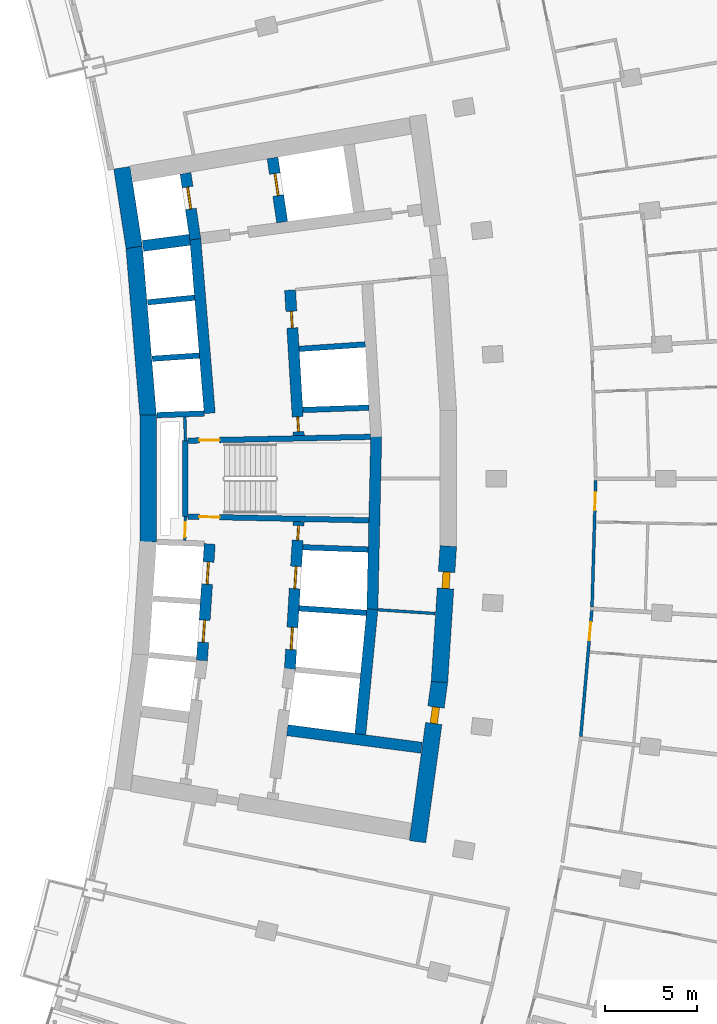
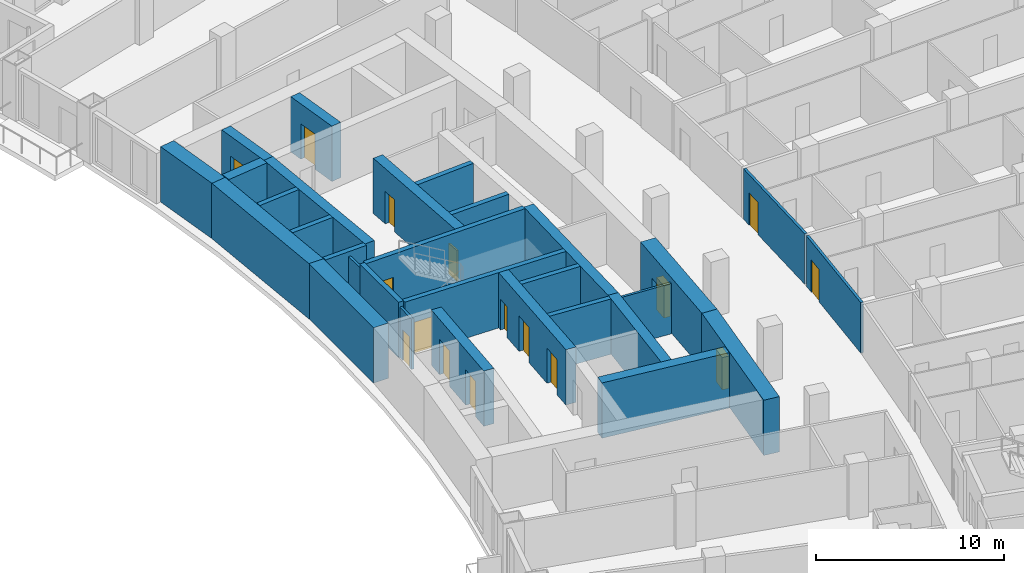
# One storey, part 16 of 25: 30 walls, 16 doors, 16 openings.
"""IFC4 building model written with IfcOpenShell, lengths in metres."""

from ifc_helpers import new_model, si_unit, direction, frame, frame_2d, origin, place, context, subcontext, project, spatial, rectangle, extrude, material, layer, layer_set, type_object, element, fill, save


model = new_model("IFC4")

# Units and contexts
model_context = context("Model", 3, precision=1e-05, world=origin(), true_north=direction((0.0, 1.0)))
body_context = subcontext(model_context, "Body", "Model", "MODEL_VIEW")
ifc_project = project(units=[si_unit("LENGTHUNIT", "METRE"), si_unit("AREAUNIT", "SQUARE_METRE"), si_unit("VOLUMEUNIT", "CUBIC_METRE"), si_unit("PLANEANGLEUNIT", "RADIAN"), si_unit("MASSUNIT", "GRAM", prefix="KILO")], contexts=[model_context])

# Site, building, storey
site_placement = place(None, origin())
site = spatial("IfcSite", under=ifc_project, at=site_placement, CompositionType="ELEMENT")
building_placement = place(site_placement, origin())
building = spatial("IfcBuilding", under=site, at=building_placement, Name="Alderwake Tower", CompositionType="ELEMENT")
storey_placement = place(building_placement, frame((0.0, 0.0, 35.60009765625)))
storey = spatial("IfcBuildingStorey", under=building, at=storey_placement, Name="L07", CompositionType="ELEMENT", Elevation=35.60009765625)

# Wall, opening, door
ifc_material_1 = material(Name="Gypsum shaft wall system, rated")
ifc_layer_1 = layer(ifc_material_1, 0.14990234375)
ifc_layer_set_1 = layer_set([ifc_layer_1], Name="Core room partition 150")
wall_type_1 = type_object("IfcWallType", Name="Core room partition 150", PredefinedType="PARTITIONING", material=ifc_layer_set_1)
wall_1_placement = place(storey_placement, frame((18.918701171875, 58.94384765625, 0.0), z_axis=(0.0, 0.0, 1.0), x_axis=(-0.027348257573, -0.999625966453, 0.0)))
wall_1 = element("IfcWall", 1, at=wall_1_placement, inside=storey, type_object=wall_type_1, Name="CW/L07/PA+24_-37", PredefinedType="PARTITIONING", context=body_context, shape_type="SweptSolid", body=[
    extrude(rectangle(XDim=1.29443359375, YDim=0.14990234375, at=frame_2d((0.647216796875, 0.0))), origin(), (0.0, 0.0, 1.0), 3.27978515625),
])
opening_1_placement = place(wall_1_placement, frame((0.322998046875, 0.0, 0.0)))
opening_1 = element("IfcOpeningElement", 2, at=opening_1_placement, cuts=wall_1, Name="Opening C004", PredefinedType="OPENING", context=body_context, shape_type="SweptSolid", body=[
    extrude(rectangle(XDim=0.800048828125, YDim=2.0, at=frame_2d((0.39990234375, 1.0))), frame((0.0, 0.0849609375, 0.0), z_axis=(0.0, -1.0, 0.0), x_axis=(1.0, 0.0, 0.0)), (0.0, 0.0, 1.0), 0.169921875),
])
ifc_material_2 = material(Name="Painted steel leaf, rated", Category="steel")
door_type_1 = type_object("IfcDoorType", Name="Riser access door 800", OperationType="SINGLE_SWING_LEFT", PredefinedType="DOOR", material=ifc_material_2)
door_1_placement = place(opening_1_placement, origin())
door_1 = element("IfcDoor", 3, at=door_1_placement, inside=storey, type_object=door_type_1, Name="Riser access door", OperationType="SINGLE_SWING_RIGHT", OverallHeight=2.0, OverallWidth=0.800048828125, PredefinedType="DOOR", context=body_context, shape_type="SweptSolid", body=[
    extrude(rectangle(XDim=0.800048828125, YDim=2.0, at=frame_2d((0.39990234375, 1.0))), frame((0.0, 0.02490234375, 0.0), z_axis=(0.0, -1.0, 0.0), x_axis=(1.0, 0.0, 0.0)), (0.0, 0.0, 1.0), 0.050048828125),
])
fill(opening_1, door_1)

# Walls
wall_2_placement = place(storey_placement, frame((18.918701171875, 63.05517578125, 0.0), z_axis=(0.0, 0.0, 1.0), x_axis=(-0.027327648352, 0.999626530078, 0.0)))
element("IfcWall", 4, at=wall_2_placement, inside=storey, type_object=wall_type_1, Name="CW/L07/PA+24_+22", PredefinedType="PARTITIONING", context=body_context, shape_type="SweptSolid", body=[
    extrude(rectangle(XDim=1.29541015625, YDim=0.14990234375, at=frame_2d((0.647705078125, 0.0))), origin(), (0.0, 0.0, 1.0), 3.27978515625),
])
wall_3_placement = place(storey_placement, frame((29.368408203125, 53.8779296875, 0.0), z_axis=(0.0, 0.0, 1.0), x_axis=(0.997885422127, -0.064997571548, 0.0)))
element("IfcWall", 5, at=wall_3_placement, inside=storey, type_object=wall_type_1, Name="CW/L07/PR-68_+128", PredefinedType="PARTITIONING", context=body_context, shape_type="SweptSolid", body=[
    extrude(rectangle(XDim=3.110107421875, YDim=0.14990234375, at=frame_2d((1.55517578125, 0.0))), origin(), (0.0, 0.0, 1.0), 3.27978515625),
])
ifc_material_3 = material(Name="Concrete C70/85", Category="concrete")
ifc_layer_2 = layer(ifc_material_3, 0.89990234375)
ifc_layer_set_2 = layer_set([ifc_layer_2], Name="Core wall outer 900 C70-85")
wall_type_2 = type_object("IfcWallType", Name="Core wall outer 900 C70-85", PredefinedType="SHEAR", material=ifc_layer_set_2)
wall_4_placement = place(storey_placement, frame((16.889404296875, 57.5546875, 0.0), z_axis=(0.0, 0.0, 1.0), x_axis=(0.0, 1.0, 0.0)))
element("IfcWall", 6, at=wall_4_placement, inside=storey, type_object=wall_type_2, Name="Core wall CW.043", PredefinedType="SHEAR", context=body_context, shape_type="SweptSolid", body=[
    extrude(rectangle(XDim=6.89404296875, YDim=0.89990234375, at=frame_2d((3.447021484375, 0.0))), origin(), (0.0, 0.0, 1.0), 3.599853515625),
])
wall_5_placement = place(storey_placement, frame((16.890869140625, 64.41064453125, 0.0), z_axis=(0.0, 0.0, 1.0), x_axis=(-0.082624275373, 0.996580768989, 0.0)))
element("IfcWall", 7, at=wall_5_placement, inside=storey, type_object=wall_type_2, Name="Core wall CW.040", PredefinedType="SHEAR", context=body_context, shape_type="SweptSolid", body=[
    extrude(rectangle(XDim=9.210205078125, YDim=0.89990234375, at=frame_2d((4.60498046875, 0.0))), origin(), (0.0, 0.0, 1.0), 3.599853515625),
])
wall_6_placement = place(storey_placement, frame((16.1337890625, 73.557373046875, 0.0), z_axis=(0.0, 0.0, 1.0), x_axis=(-0.151956504286, 0.988387181627, 0.0)))
element("IfcWall", 8, at=wall_6_placement, inside=storey, type_object=wall_type_2, Name="Core wall CW.039", PredefinedType="SHEAR", context=body_context, shape_type="SweptSolid", body=[
    extrude(rectangle(XDim=4.373291015625, YDim=0.89990234375, at=frame_2d((2.1865234375, 0.0))), origin(), (0.0, 0.0, 1.0), 3.599853515625),
])

# Wall, opening, door
wall_7_placement = place(storey_placement, frame((32.7138671875, 49.9873046875, 0.0), z_axis=(0.0, 0.0, 1.0), x_axis=(-0.135844728876, -0.990730139663, 0.0)))
wall_7 = element("IfcWall", 9, at=wall_7_placement, inside=storey, type_object=wall_type_2, Name="Core wall CW.012", PredefinedType="SHEAR", context=body_context, shape_type="SweptSolid", body=[
    extrude(rectangle(XDim=8.78662109375, YDim=0.89990234375, at=frame_2d((4.393310546875, 0.0))), origin(), (0.0, 0.0, 1.0), 3.599853515625),
])
opening_2_placement = place(wall_7_placement, frame((1.40673828125, 0.0, 0.0)))
opening_2 = element("IfcOpeningElement", 10, at=opening_2_placement, cuts=wall_7, Name="Opening C049", PredefinedType="OPENING", context=body_context, shape_type="SweptSolid", body=[
    extrude(rectangle(XDim=0.89990234375, YDim=2.10009765625, at=frame_2d((0.449951171875, 1.050048828125))), frame((0.0, 0.4599609375, 0.0), z_axis=(0.0, -1.0, 0.0), x_axis=(1.0, 0.0, 0.0)), (0.0, 0.0, 1.0), 0.919921875),
])
ifc_material_4 = material(Name="Painted steel leaf", Category="steel")
door_type_2 = type_object("IfcDoorType", Name="Core room door 900", OperationType="SINGLE_SWING_LEFT", PredefinedType="DOOR", material=ifc_material_4)
door_2_placement = place(opening_2_placement, origin())
door_2 = element("IfcDoor", 11, at=door_2_placement, inside=storey, type_object=door_type_2, Name="Room door", OperationType="SINGLE_SWING_LEFT", OverallHeight=2.10009765625, OverallWidth=0.89990234375, PredefinedType="DOOR", context=body_context, shape_type="SweptSolid", body=[
    extrude(rectangle(XDim=0.89990234375, YDim=2.10009765625, at=frame_2d((0.449951171875, 1.050048828125))), frame((0.0, 0.199951171875, 0.0), z_axis=(0.0, -1.0, 0.0), x_axis=(1.0, 0.0, 0.0)), (0.0, 0.0, 1.0), 0.39990234375),
])
fill(opening_2, door_2)

wall_8_placement = place(storey_placement, frame((33.191162109375, 57.33349609375, 0.0), z_axis=(0.0, 0.0, 1.0), x_axis=(-0.064976219143, -0.997886812693, 0.0)))
wall_8 = element("IfcWall", 12, at=wall_8_placement, inside=storey, type_object=wall_type_2, Name="Core wall CW.011", PredefinedType="SHEAR", context=body_context, shape_type="SweptSolid", body=[
    extrude(rectangle(XDim=7.39453125, YDim=0.89990234375, at=frame_2d((3.697265625, 0.0))), origin(), (0.0, 0.0, 1.0), 3.599853515625),
])
opening_3_placement = place(wall_8_placement, frame((1.405517578125, 0.0, 0.0)))
opening_3 = element("IfcOpeningElement", 13, at=opening_3_placement, cuts=wall_8, Name="Opening C028", PredefinedType="OPENING", context=body_context, shape_type="SweptSolid", body=[
    extrude(rectangle(XDim=0.89990234375, YDim=2.10009765625, at=frame_2d((0.449951171875, 1.050048828125))), frame((0.0, 0.4599609375, 0.0), z_axis=(0.0, -1.0, 0.0), x_axis=(1.0, 0.0, 0.0)), (0.0, 0.0, 1.0), 0.919921875),
])
door_3_placement = place(opening_3_placement, origin())
door_3 = element("IfcDoor", 14, at=door_3_placement, inside=storey, type_object=door_type_2, Name="Room door", OperationType="SINGLE_SWING_LEFT", OverallHeight=2.10009765625, OverallWidth=0.89990234375, PredefinedType="DOOR", context=body_context, shape_type="SweptSolid", body=[
    extrude(rectangle(XDim=0.89990234375, YDim=2.10009765625, at=frame_2d((0.449951171875, 1.050048828125))), frame((0.0, 0.199951171875, 0.0), z_axis=(0.0, -1.0, 0.0), x_axis=(1.0, 0.0, 0.0)), (0.0, 0.0, 1.0), 0.39990234375),
])
fill(opening_3, door_3)

# Walls
ifc_material_5 = material(Name="Concrete C70/85", Category="concrete")
ifc_layer_3 = layer(ifc_material_5, 0.300048828125)
ifc_layer_set_3 = layer_set([ifc_layer_3], Name="Core wall shaft 300 C70-85")
wall_type_3 = type_object("IfcWallType", Name="Core wall shaft 300 C70-85", PredefinedType="SHEAR", material=ifc_layer_set_3)
wall_9_placement = place(storey_placement, frame((25.090087890625, 53.954833984375, 0.0), z_axis=(0.0, 0.0, 1.0), x_axis=(0.997759755038, -0.066898962827, 0.0)))
element("IfcWall", 15, at=wall_9_placement, inside=storey, type_object=wall_type_3, Name="Core wall CW.080", PredefinedType="SHEAR", context=body_context, shape_type="SweptSolid", body=[
    extrude(rectangle(XDim=3.667724609375, YDim=0.300048828125, at=frame_2d((1.833984375, 0.0))), origin(), (0.0, 0.0, 1.0), 3.599853515625),
])
wall_10_placement = place(storey_placement, frame((25.29052734375, 57.27294921875, 0.0), z_axis=(0.0, 0.0, 1.0), x_axis=(0.999373490158, -0.035392473348, 0.0)))
element("IfcWall", 16, at=wall_10_placement, inside=storey, type_object=wall_type_3, Name="Core wall CW.077", PredefinedType="SHEAR", context=body_context, shape_type="SweptSolid", body=[
    extrude(rectangle(XDim=3.552490234375, YDim=0.300048828125, at=frame_2d((1.7763671875, 0.0))), origin(), (0.0, 0.0, 1.0), 3.599853515625),
])
wall_11_placement = place(storey_placement, frame((17.369384765625, 64.446533203125, 0.0), z_axis=(0.0, 0.0, 1.0), x_axis=(0.999371660382, 0.035444102817, 0.0)))
element("IfcWall", 17, at=wall_11_placement, inside=storey, type_object=wall_type_3, Name="Core wall CW.059", PredefinedType="SHEAR", context=body_context, shape_type="SweptSolid", body=[
    extrude(rectangle(XDim=2.5693359375, YDim=0.300048828125, at=frame_2d((1.28466796875, 0.0))), origin(), (0.0, 0.0, 1.0), 3.599853515625),
])
wall_12_placement = place(storey_placement, frame((25.291259765625, 64.72705078125, 0.0), z_axis=(0.0, 0.0, 1.0), x_axis=(0.999373454301, 0.035393485806, 0.0)))
element("IfcWall", 18, at=wall_12_placement, inside=storey, type_object=wall_type_3, Name="Core wall CW.060", PredefinedType="SHEAR", context=body_context, shape_type="SweptSolid", body=[
    extrude(rectangle(XDim=3.59375, YDim=0.300048828125, at=frame_2d((1.796875, 0.0))), origin(), (0.0, 0.0, 1.0), 3.599853515625),
])
wall_13_placement = place(storey_placement, frame((17.115478515625, 67.510498046875, 0.0), z_axis=(0.0, 0.0, 1.0), x_axis=(0.99775517309, 0.06696726493, 0.0)))
element("IfcWall", 19, at=wall_13_placement, inside=storey, type_object=wall_type_3, Name="Core wall CW.062", PredefinedType="SHEAR", context=body_context, shape_type="SweptSolid", body=[
    extrude(rectangle(XDim=2.566650390625, YDim=0.300048828125, at=frame_2d((1.283203125, 0.0))), origin(), (0.0, 0.0, 1.0), 3.599853515625),
])
wall_14_placement = place(storey_placement, frame((25.09228515625, 68.04541015625, 0.0), z_axis=(0.0, 0.0, 1.0), x_axis=(0.997761968855, 0.066865936816, 0.0)))
element("IfcWall", 20, at=wall_14_placement, inside=storey, type_object=wall_type_3, Name="Core wall CW.063", PredefinedType="SHEAR", context=body_context, shape_type="SweptSolid", body=[
    extrude(rectangle(XDim=3.596435546875, YDim=0.300048828125, at=frame_2d((1.79833984375, 0.0))), origin(), (0.0, 0.0, 1.0), 3.599853515625),
])
wall_15_placement = place(storey_placement, frame((16.86181640625, 70.571533203125, 0.0), z_axis=(0.0, 0.0, 1.0), x_axis=(0.995151424955, 0.098354671516, 0.0)))
element("IfcWall", 21, at=wall_15_placement, inside=storey, type_object=wall_type_3, Name="Core wall CW.050", PredefinedType="SHEAR", context=body_context, shape_type="SweptSolid", body=[
    extrude(rectangle(XDim=2.566650390625, YDim=0.300048828125, at=frame_2d((1.283203125, 0.0))), origin(), (0.0, 0.0, 1.0), 3.599853515625),
])

# Wall, openings, doors
ifc_material_6 = material(Name="Concrete C70/85", Category="concrete")
ifc_layer_4 = layer(ifc_material_6, 0.60009765625)
ifc_layer_set_4 = layer_set([ifc_layer_4], Name="Core wall spine 600 C70-85")
wall_type_4 = type_object("IfcWallType", Name="Core wall spine 600 C70-85", PredefinedType="SHEAR", material=ifc_layer_set_4)
wall_16_placement = place(storey_placement, frame((19.813232421875, 51.12646484375, 0.0), z_axis=(0.0, 0.0, 1.0), x_axis=(0.066892179723, 0.997760209816, 0.0)))
wall_16 = element("IfcWall", 22, at=wall_16_placement, inside=storey, type_object=wall_type_4, Name="Core wall CW.032", PredefinedType="SHEAR", context=body_context, shape_type="SweptSolid", body=[
    extrude(rectangle(XDim=6.339599609375, YDim=0.60009765625, at=frame_2d((3.169921875, 0.0))), origin(), (0.0, 0.0, 1.0), 3.599853515625),
])
opening_4_placement = place(wall_16_placement, frame((0.992431640625, 0.0, 0.0)))
opening_4 = element("IfcOpeningElement", 23, at=opening_4_placement, cuts=wall_16, Name="Opening LD-LP2", PredefinedType="OPENING", context=body_context, shape_type="SweptSolid", body=[
    extrude(rectangle(XDim=1.199951171875, YDim=2.300048828125, at=frame_2d((0.60009765625, 1.14990234375))), frame((0.0, 0.31005859375, 0.0), z_axis=(0.0, -1.0, 0.0), x_axis=(1.0, 0.0, 0.0)), (0.0, 0.0, 1.0), 0.6201171875),
])
opening_5_placement = place(wall_16_placement, frame((4.157470703125, 0.0, 0.0)))
opening_5 = element("IfcOpeningElement", 24, at=opening_5_placement, cuts=wall_16, Name="Opening LD-LP3", PredefinedType="OPENING", context=body_context, shape_type="SweptSolid", body=[
    extrude(rectangle(XDim=1.199951171875, YDim=2.300048828125, at=frame_2d((0.60009765625, 1.14990234375))), frame((0.0, 0.31005859375, 0.0), z_axis=(0.0, -1.0, 0.0), x_axis=(1.0, 0.0, 0.0)), (0.0, 0.0, 1.0), 0.6201171875),
])
ifc_material_7 = material(Name="Stainless steel sliding leaf", Category="steel")
door_type_3 = type_object("IfcDoorType", Name="Lift landing door 1200", OperationType="SLIDING_TO_LEFT", PredefinedType="DOOR", material=ifc_material_7)
door_4_placement = place(opening_4_placement, origin())
door_4 = element("IfcDoor", 25, at=door_4_placement, inside=storey, type_object=door_type_3, Name="Lift landing door LP2", OperationType="SLIDING_TO_LEFT", OverallHeight=2.300048828125, OverallWidth=1.199951171875, PredefinedType="DOOR", context=body_context, shape_type="SweptSolid", body=[
    extrude(rectangle(XDim=1.199951171875, YDim=2.300048828125, at=frame_2d((0.60009765625, 1.14990234375))), frame((0.0, 0.050048828125, 0.0), z_axis=(0.0, -1.0, 0.0), x_axis=(1.0, 0.0, 0.0)), (0.0, 0.0, 1.0), 0.10009765625),
])
fill(opening_4, door_4)
door_5_placement = place(opening_5_placement, origin())
door_5 = element("IfcDoor", 26, at=door_5_placement, inside=storey, type_object=door_type_3, Name="Lift landing door LP3", OperationType="SLIDING_TO_LEFT", OverallHeight=2.300048828125, OverallWidth=1.199951171875, PredefinedType="DOOR", context=body_context, shape_type="SweptSolid", body=[
    extrude(rectangle(XDim=1.199951171875, YDim=2.300048828125, at=frame_2d((0.60009765625, 1.14990234375))), frame((0.0, 0.050048828125, 0.0), z_axis=(0.0, -1.0, 0.0), x_axis=(1.0, 0.0, 0.0)), (0.0, 0.0, 1.0), 0.10009765625),
])
fill(opening_5, door_5)

# Wall
wall_17_placement = place(storey_placement, frame((20.2373046875, 64.548095703125, 0.0), z_axis=(0.0, 0.0, 1.0), x_axis=(-0.082626598613, 0.996580576372, 0.0)))
element("IfcWall", 27, at=wall_17_placement, inside=storey, type_object=wall_type_4, Name="Core wall CW.031", PredefinedType="SHEAR", context=body_context, shape_type="SweptSolid", body=[
    extrude(rectangle(XDim=9.50244140625, YDim=0.60009765625, at=frame_2d((4.751220703125, 0.0))), origin(), (0.0, 0.0, 1.0), 3.599853515625),
])

# Wall, opening, door
wall_18_placement = place(storey_placement, frame((19.45458984375, 73.99755859375, 0.0), z_axis=(0.0, 0.0, 1.0), x_axis=(-0.147502312715, 0.989061710786, 0.0)))
wall_18 = element("IfcWall", 28, at=wall_18_placement, inside=storey, type_object=wall_type_4, Name="Core wall CW.030", PredefinedType="SHEAR", context=body_context, shape_type="SweptSolid", body=[
    extrude(rectangle(XDim=3.6181640625, YDim=0.60009765625, at=frame_2d((1.80908203125, 0.0))), origin(), (0.0, 0.0, 1.0), 3.599853515625),
])
opening_6_placement = place(wall_18_placement, frame((1.664306640625, 0.0, 0.0)))
opening_6 = element("IfcOpeningElement", 29, at=opening_6_placement, cuts=wall_18, Name="Opening LD-FF1", PredefinedType="OPENING", context=body_context, shape_type="SweptSolid", body=[
    extrude(rectangle(XDim=1.199951171875, YDim=2.300048828125, at=frame_2d((0.60009765625, 1.14990234375))), frame((0.0, 0.31005859375, 0.0), z_axis=(0.0, -1.0, 0.0), x_axis=(1.0, 0.0, 0.0)), (0.0, 0.0, 1.0), 0.6201171875),
])
door_6_placement = place(opening_6_placement, origin())
door_6 = element("IfcDoor", 30, at=door_6_placement, inside=storey, type_object=door_type_3, Name="Lift landing door FF1", OperationType="SLIDING_TO_LEFT", OverallHeight=2.300048828125, OverallWidth=1.199951171875, PredefinedType="DOOR", context=body_context, shape_type="SweptSolid", body=[
    extrude(rectangle(XDim=1.199951171875, YDim=2.300048828125, at=frame_2d((0.60009765625, 1.14990234375))), frame((0.0, 0.050048828125, 0.0), z_axis=(0.0, -1.0, 0.0), x_axis=(1.0, 0.0, 0.0)), (0.0, 0.0, 1.0), 0.10009765625),
])
fill(opening_6, door_6)

# Wall, openings, doors
wall_19_placement = place(storey_placement, frame((24.58984375, 50.6533203125, 0.0), z_axis=(0.0, 0.0, 1.0), x_axis=(0.060323309079, 0.998178890972, 0.0)))
wall_19 = element("IfcWall", 31, at=wall_19_placement, inside=storey, type_object=wall_type_4, Name="Core wall CW.046", PredefinedType="SHEAR", context=body_context, shape_type="SweptSolid", body=[
    extrude(rectangle(XDim=8.025634765625, YDim=0.60009765625, at=frame_2d((4.0126953125, 0.0))), origin(), (0.0, 0.0, 1.0), 3.599853515625),
])
opening_7_placement = place(wall_19_placement, frame((1.06884765625, 0.0, 0.0)))
opening_7 = element("IfcOpeningElement", 32, at=opening_7_placement, cuts=wall_19, Name="Opening LD-LP5", PredefinedType="OPENING", context=body_context, shape_type="SweptSolid", body=[
    extrude(rectangle(XDim=1.199951171875, YDim=2.300048828125, at=frame_2d((0.60009765625, 1.14990234375))), frame((0.0, 0.31005859375, 0.0), z_axis=(0.0, -1.0, 0.0), x_axis=(1.0, 0.0, 0.0)), (0.0, 0.0, 1.0), 0.6201171875),
])
opening_8_placement = place(wall_19_placement, frame((4.38525390625, 0.0, 0.0)))
opening_8 = element("IfcOpeningElement", 33, at=opening_8_placement, cuts=wall_19, Name="Opening LD-LP6", PredefinedType="OPENING", context=body_context, shape_type="SweptSolid", body=[
    extrude(rectangle(XDim=1.199951171875, YDim=2.300048828125, at=frame_2d((0.60009765625, 1.14990234375))), frame((0.0, 0.31005859375, 0.0), z_axis=(0.0, -1.0, 0.0), x_axis=(1.0, 0.0, 0.0)), (0.0, 0.0, 1.0), 0.6201171875),
])
opening_9_placement = place(wall_19_placement, frame((7.009521484375, 0.0, 0.0)))
opening_9 = element("IfcOpeningElement", 34, at=opening_9_placement, cuts=wall_19, Name="Opening C006", PredefinedType="OPENING", context=body_context, shape_type="SweptSolid", body=[
    extrude(rectangle(XDim=0.800048828125, YDim=2.0, at=frame_2d((0.39990234375, 1.0))), frame((0.0, 0.31005859375, 0.0), z_axis=(0.0, -1.0, 0.0), x_axis=(1.0, 0.0, 0.0)), (0.0, 0.0, 1.0), 0.6201171875),
])
door_7_placement = place(opening_7_placement, origin())
door_7 = element("IfcDoor", 35, at=door_7_placement, inside=storey, type_object=door_type_3, Name="Lift landing door LP5", OperationType="SLIDING_TO_LEFT", OverallHeight=2.300048828125, OverallWidth=1.199951171875, PredefinedType="DOOR", context=body_context, shape_type="SweptSolid", body=[
    extrude(rectangle(XDim=1.199951171875, YDim=2.300048828125, at=frame_2d((0.60009765625, 1.14990234375))), frame((0.0, 0.050048828125, 0.0), z_axis=(0.0, -1.0, 0.0), x_axis=(1.0, 0.0, 0.0)), (0.0, 0.0, 1.0), 0.10009765625),
])
fill(opening_7, door_7)
door_8_placement = place(opening_8_placement, origin())
door_8 = element("IfcDoor", 36, at=door_8_placement, inside=storey, type_object=door_type_3, Name="Lift landing door LP6", OperationType="SLIDING_TO_LEFT", OverallHeight=2.300048828125, OverallWidth=1.199951171875, PredefinedType="DOOR", context=body_context, shape_type="SweptSolid", body=[
    extrude(rectangle(XDim=1.199951171875, YDim=2.300048828125, at=frame_2d((0.60009765625, 1.14990234375))), frame((0.0, 0.050048828125, 0.0), z_axis=(0.0, -1.0, 0.0), x_axis=(1.0, 0.0, 0.0)), (0.0, 0.0, 1.0), 0.10009765625),
])
fill(opening_8, door_8)
door_9_placement = place(opening_9_placement, origin())
door_9 = element("IfcDoor", 37, at=door_9_placement, inside=storey, type_object=door_type_1, Name="Riser access door", OperationType="SINGLE_SWING_RIGHT", OverallHeight=2.0, OverallWidth=0.800048828125, PredefinedType="DOOR", context=body_context, shape_type="SweptSolid", body=[
    extrude(rectangle(XDim=0.800048828125, YDim=2.0, at=frame_2d((0.39990234375, 1.0))), frame((0.0, 0.050048828125, 0.0), z_axis=(0.0, -1.0, 0.0), x_axis=(1.0, 0.0, 0.0)), (0.0, 0.0, 1.0), 0.10009765625),
])
fill(opening_9, door_9)

wall_20_placement = place(storey_placement, frame((25.073974609375, 63.335693359375, 0.0), z_axis=(0.0, 0.0, 1.0), x_axis=(-0.059848641072, 0.998207463487, 0.0)))
wall_20 = element("IfcWall", 38, at=wall_20_placement, inside=storey, type_object=wall_type_4, Name="Core wall CW.045", PredefinedType="SHEAR", context=body_context, shape_type="SweptSolid", body=[
    extrude(rectangle(XDim=7.913818359375, YDim=0.60009765625, at=frame_2d((3.95703125, 0.0))), origin(), (0.0, 0.0, 1.0), 3.599853515625),
])
opening_10_placement = place(wall_20_placement, frame((0.216064453125, 0.0, 0.0)))
opening_10 = element("IfcOpeningElement", 39, at=opening_10_placement, cuts=wall_20, Name="Opening C005", PredefinedType="OPENING", context=body_context, shape_type="SweptSolid", body=[
    extrude(rectangle(XDim=0.800048828125, YDim=2.0, at=frame_2d((0.39990234375, 1.0))), frame((0.0, 0.31005859375, 0.0), z_axis=(0.0, -1.0, 0.0), x_axis=(1.0, 0.0, 0.0)), (0.0, 0.0, 1.0), 0.6201171875),
])
opening_11_placement = place(wall_20_placement, frame((5.856201171875, 0.0, 0.0)))
opening_11 = element("IfcOpeningElement", 40, at=opening_11_placement, cuts=wall_20, Name="Opening C023", PredefinedType="OPENING", context=body_context, shape_type="SweptSolid", body=[
    extrude(rectangle(XDim=0.89990234375, YDim=2.10009765625, at=frame_2d((0.449951171875, 1.050048828125))), frame((0.0, 0.31005859375, 0.0), z_axis=(0.0, -1.0, 0.0), x_axis=(1.0, 0.0, 0.0)), (0.0, 0.0, 1.0), 0.6201171875),
])
door_10_placement = place(opening_11_placement, origin())
door_10 = element("IfcDoor", 41, at=door_10_placement, inside=storey, type_object=door_type_2, Name="Room door", OperationType="SINGLE_SWING_RIGHT", OverallHeight=2.10009765625, OverallWidth=0.89990234375, PredefinedType="DOOR", context=body_context, shape_type="SweptSolid", body=[
    extrude(rectangle(XDim=0.89990234375, YDim=2.10009765625, at=frame_2d((0.449951171875, 1.050048828125))), frame((0.0, 0.050048828125, 0.0), z_axis=(0.0, -1.0, 0.0), x_axis=(1.0, 0.0, 0.0)), (0.0, 0.0, 1.0), 0.10009765625),
])
fill(opening_11, door_10)
door_11_placement = place(opening_10_placement, origin())
door_11 = element("IfcDoor", 42, at=door_11_placement, inside=storey, type_object=door_type_1, Name="Riser access door", OperationType="SINGLE_SWING_LEFT", OverallHeight=2.0, OverallWidth=0.800048828125, PredefinedType="DOOR", context=body_context, shape_type="SweptSolid", body=[
    extrude(rectangle(XDim=0.800048828125, YDim=2.0, at=frame_2d((0.39990234375, 1.0))), frame((0.0, 0.050048828125, 0.0), z_axis=(0.0, -1.0, 0.0), x_axis=(1.0, 0.0, 0.0)), (0.0, 0.0, 1.0), 0.10009765625),
])
fill(opening_10, door_11)

# Wall, opening, door
wall_21_placement = place(storey_placement, frame((24.173095703125, 74.927734375, 0.0), z_axis=(0.0, 0.0, 1.0), x_axis=(-0.14910953086, 0.988820685365, 0.0)))
wall_21 = element("IfcWall", 43, at=wall_21_placement, inside=storey, type_object=wall_type_4, Name="Core wall CW.044", PredefinedType="SHEAR", context=body_context, shape_type="SweptSolid", body=[
    extrude(rectangle(XDim=3.5234375, YDim=0.60009765625, at=frame_2d((1.76171875, 0.0))), origin(), (0.0, 0.0, 1.0), 3.599853515625),
])
opening_12_placement = place(wall_21_placement, frame((1.4619140625, 0.0, 0.0)))
opening_12 = element("IfcOpeningElement", 44, at=opening_12_placement, cuts=wall_21, Name="Opening LD-FF2", PredefinedType="OPENING", context=body_context, shape_type="SweptSolid", body=[
    extrude(rectangle(XDim=1.199951171875, YDim=2.300048828125, at=frame_2d((0.60009765625, 1.14990234375))), frame((0.0, 0.31005859375, 0.0), z_axis=(0.0, -1.0, 0.0), x_axis=(1.0, 0.0, 0.0)), (0.0, 0.0, 1.0), 0.6201171875),
])
door_12_placement = place(opening_12_placement, origin())
door_12 = element("IfcDoor", 45, at=door_12_placement, inside=storey, type_object=door_type_3, Name="Lift landing door FF2", OperationType="SLIDING_TO_LEFT", OverallHeight=2.300048828125, OverallWidth=1.199951171875, PredefinedType="DOOR", context=body_context, shape_type="SweptSolid", body=[
    extrude(rectangle(XDim=1.199951171875, YDim=2.300048828125, at=frame_2d((0.60009765625, 1.14990234375))), frame((0.0, 0.050048828125, 0.0), z_axis=(0.0, -1.0, 0.0), x_axis=(1.0, 0.0, 0.0)), (0.0, 0.0, 1.0), 0.10009765625),
])
fill(opening_12, door_12)

# Walls
wall_22_placement = place(storey_placement, frame((28.415283203125, 47.12255859375, 0.0), z_axis=(0.0, 0.0, 1.0), x_axis=(0.096035810952, 0.995377879508, 0.0)))
element("IfcWall", 46, at=wall_22_placement, inside=storey, type_object=wall_type_4, Name="Core wall CW.005", PredefinedType="SHEAR", context=body_context, shape_type="SweptSolid", body=[
    extrude(rectangle(XDim=6.818115234375, YDim=0.60009765625, at=frame_2d((3.4091796875, 0.0))), origin(), (0.0, 0.0, 1.0), 3.599853515625),
])
wall_23_placement = place(storey_placement, frame((29.068603515625, 53.885986328125, 0.0), z_axis=(0.0, 0.0, 1.0), x_axis=(0.022123304576, 0.999755249746, 0.0)))
element("IfcWall", 47, at=wall_23_placement, inside=storey, type_object=wall_type_4, Name="Core wall CW.008", PredefinedType="SHEAR", context=body_context, shape_type="SweptSolid", body=[
    extrude(rectangle(XDim=9.402099609375, YDim=0.60009765625, at=frame_2d((4.701171875, 0.0))), origin(), (0.0, 0.0, 1.0), 3.599853515625),
])
wall_24_placement = place(storey_placement, frame((24.4501953125, 47.338623046875, 0.0), z_axis=(0.0, 0.0, 1.0), x_axis=(0.991554769286, -0.129688625198, 0.0)))
element("IfcWall", 48, at=wall_24_placement, inside=storey, type_object=wall_type_4, Name="Core wall CW.069", PredefinedType="SHEAR", context=body_context, shape_type="SweptSolid", body=[
    extrude(rectangle(XDim=7.347412109375, YDim=0.60009765625, at=frame_2d((3.673828125, 0.0))), origin(), (0.0, 0.0, 1.0), 3.599853515625),
])
wall_25_placement = place(storey_placement, frame((16.607666015625, 73.635498046875, 0.0), z_axis=(0.0, 0.0, 1.0), x_axis=(0.991551057449, 0.129717001478, 0.0)))
element("IfcWall", 49, at=wall_25_placement, inside=storey, type_object=wall_type_4, Name="Core wall CW.051", PredefinedType="SHEAR", context=body_context, shape_type="SweptSolid", body=[
    extrude(rectangle(XDim=2.569091796875, YDim=0.60009765625, at=frame_2d((1.28466796875, 0.0))), origin(), (0.0, 0.0, 1.0), 3.599853515625),
])
ifc_material_8 = material(Name="Concrete C70/85", Category="concrete")
ifc_layer_5 = layer(ifc_material_8, 0.300048828125)
ifc_layer_set_5 = layer_set([ifc_layer_5], Name="Core wall stair enclosure 300 C70-85")
wall_type_5 = type_object("IfcWallType", Name="Core wall stair enclosure 300 C70-85", PredefinedType="SHEAR", material=ifc_layer_set_5)
wall_26_placement = place(storey_placement, frame((18.918701171875, 58.94091796875, 0.0), z_axis=(0.0, 0.0, 1.0), x_axis=(0.0, 1.0, 0.0)))
element("IfcWall", 50, at=wall_26_placement, inside=storey, type_object=wall_type_5, Name="Core wall CW.024", PredefinedType="SHEAR", context=body_context, shape_type="SweptSolid", body=[
    extrude(rectangle(XDim=4.119384765625, YDim=0.300048828125, at=frame_2d((2.0595703125, 0.0))), origin(), (0.0, 0.0, 1.0), 3.599853515625),
])

# Wall, opening, door
wall_27_placement = place(storey_placement, frame((28.8759765625, 58.735107421875, 0.0), z_axis=(0.0, 0.0, 1.0), x_axis=(-0.999783520771, 0.020806527678, 0.0)))
wall_27 = element("IfcWall", 51, at=wall_27_placement, inside=storey, type_object=wall_type_5, Name="Core wall CW.074", PredefinedType="SHEAR", context=body_context, shape_type="SweptSolid", body=[
    extrude(rectangle(XDim=9.8095703125, YDim=0.300048828125, at=frame_2d((4.90478515625, 0.0))), origin(), (0.0, 0.0, 1.0), 3.599853515625),
])
opening_13_placement = place(wall_27_placement, frame((8.109375, 0.0, 0.0)))
opening_13 = element("IfcOpeningElement", 52, at=opening_13_placement, cuts=wall_27, Name="Opening C063", PredefinedType="OPENING", context=body_context, shape_type="SweptSolid", body=[
    extrude(rectangle(XDim=1.10009765625, YDim=2.10009765625, at=frame_2d((0.550048828125, 1.050048828125))), frame((0.0, 0.159912109375, 0.0), z_axis=(0.0, -1.0, 0.0), x_axis=(1.0, 0.0, 0.0)), (0.0, 0.0, 1.0), 0.320068359375),
])
ifc_material_9 = material(Name="Steel-framed fire door leaf", Category="steel")
door_type_4 = type_object("IfcDoorType", Name="Core stair door 1100 fire-rated", OperationType="SINGLE_SWING_LEFT", PredefinedType="DOOR", material=ifc_material_9)
door_13_placement = place(opening_13_placement, origin())
door_13 = element("IfcDoor", 53, at=door_13_placement, inside=storey, type_object=door_type_4, Name="Stair door", OperationType="SINGLE_SWING_LEFT", OverallHeight=2.10009765625, OverallWidth=1.10009765625, PredefinedType="DOOR", context=body_context, shape_type="SweptSolid", body=[
    extrude(rectangle(XDim=1.10009765625, YDim=2.10009765625, at=frame_2d((0.550048828125, 1.050048828125))), frame((0.0, 0.02490234375, 0.0), z_axis=(0.0, -1.0, 0.0), x_axis=(1.0, 0.0, 0.0)), (0.0, 0.0, 1.0), 0.050048828125),
])
fill(opening_13, door_13)

wall_28_placement = place(storey_placement, frame((19.068603515625, 63.060791015625, 0.0), z_axis=(0.0, 0.0, 1.0), x_axis=(0.999783793601, 0.020793413711, 0.0)))
wall_28 = element("IfcWall", 54, at=wall_28_placement, inside=storey, type_object=wall_type_5, Name="Core wall CW.057", PredefinedType="SHEAR", context=body_context, shape_type="SweptSolid", body=[
    extrude(rectangle(XDim=9.90966796875, YDim=0.300048828125, at=frame_2d((4.954833984375, 0.0))), origin(), (0.0, 0.0, 1.0), 3.599853515625),
])
opening_14_placement = place(wall_28_placement, frame((0.60009765625, 0.0, 0.0)))
opening_14 = element("IfcOpeningElement", 55, at=opening_14_placement, cuts=wall_28, Name="Opening C064", PredefinedType="OPENING", context=body_context, shape_type="SweptSolid", body=[
    extrude(rectangle(XDim=1.10009765625, YDim=2.10009765625, at=frame_2d((0.550048828125, 1.050048828125))), frame((0.0, 0.159912109375, 0.0), z_axis=(0.0, -1.0, 0.0), x_axis=(1.0, 0.0, 0.0)), (0.0, 0.0, 1.0), 0.320068359375),
])
door_14_placement = place(opening_14_placement, origin())
door_14 = element("IfcDoor", 56, at=door_14_placement, inside=storey, type_object=door_type_4, Name="Stair door", OperationType="SINGLE_SWING_RIGHT", OverallHeight=2.10009765625, OverallWidth=1.10009765625, PredefinedType="DOOR", context=body_context, shape_type="SweptSolid", body=[
    extrude(rectangle(XDim=1.10009765625, YDim=2.10009765625, at=frame_2d((0.550048828125, 1.050048828125))), frame((0.0, 0.02490234375, 0.0), z_axis=(0.0, -1.0, 0.0), x_axis=(1.0, 0.0, 0.0)), (0.0, 0.0, 1.0), 0.050048828125),
])
fill(opening_14, door_14)

ifc_material_10 = material(Name="Gypsum board on metal studs, rated")
ifc_layer_6 = layer(ifc_material_10, 0.159912109375)
ifc_layer_set_6 = layer_set([ifc_layer_6], Name="Corridor wall 160")
wall_type_6 = type_object("IfcWallType", Name="Corridor wall 160", PredefinedType="PARTITIONING", material=ifc_layer_set_6)
wall_29_placement = place(storey_placement, frame((40.986328125, 53.834228515625, 0.0), z_axis=(0.0, 0.0, 1.0), x_axis=(-0.087448731147, -0.996169021512, 0.0)))
wall_29 = element("IfcWall", 57, at=wall_29_placement, inside=storey, type_object=wall_type_6, Name="WL/L07/W38", PredefinedType="PARTITIONING", context=body_context, shape_type="SweptSolid", body=[
    extrude(rectangle(XDim=6.867919921875, YDim=0.159912109375, at=frame_2d((3.43408203125, 0.0))), origin(), (0.0, 0.0, 1.0), 3.27978515625),
])
opening_15_placement = place(wall_29_placement, frame((0.628173828125, 0.0, 0.0)))
opening_15 = element("IfcOpeningElement", 58, at=opening_15_placement, cuts=wall_29, Name="Opening R01-U06.3", PredefinedType="OPENING", context=body_context, shape_type="SweptSolid", body=[
    extrude(rectangle(XDim=1.0, YDim=2.10009765625, at=frame_2d((0.5, 1.050048828125))), frame((0.0, 0.08984375, 0.0), z_axis=(0.0, -1.0, 0.0), x_axis=(1.0, 0.0, 0.0)), (0.0, 0.0, 1.0), 0.179931640625),
])
ifc_material_11 = material(Name="Solid timber leaf in steel frame", Category="steel")
door_type_5 = type_object("IfcDoorType", Name="Flat entrance door 1000 fire-rated", OperationType="SINGLE_SWING_LEFT", PredefinedType="DOOR", material=ifc_material_11)
door_15_placement = place(opening_15_placement, origin())
door_15 = element("IfcDoor", 59, at=door_15_placement, inside=storey, type_object=door_type_5, Name="DR/L07/U06.3", OperationType="SINGLE_SWING_LEFT", OverallHeight=2.10009765625, OverallWidth=1.0, PredefinedType="DOOR", context=body_context, shape_type="SweptSolid", body=[
    extrude(rectangle(XDim=1.0, YDim=2.10009765625, at=frame_2d((0.5, 1.050048828125))), frame((0.0, 0.02490234375, 0.0), z_axis=(0.0, -1.0, 0.0), x_axis=(1.0, 0.0, 0.0)), (0.0, 0.0, 1.0), 0.050048828125),
])
fill(opening_15, door_15)

wall_30_placement = place(storey_placement, frame((41.196044921875, 60.89892578125, 0.0), z_axis=(0.0, 0.0, 1.0), x_axis=(-0.028865238788, -0.99958331218, 0.0)))
wall_30 = element("IfcWall", 60, at=wall_30_placement, inside=storey, type_object=wall_type_6, Name="WL/L07/W41", PredefinedType="PARTITIONING", context=body_context, shape_type="SweptSolid", body=[
    extrude(rectangle(XDim=6.867919921875, YDim=0.159912109375, at=frame_2d((3.43408203125, 0.0))), origin(), (0.0, 0.0, 1.0), 3.27978515625),
])
opening_16_placement = place(wall_30_placement, frame((0.627685546875, 0.0, 0.0)))
opening_16 = element("IfcOpeningElement", 61, at=opening_16_placement, cuts=wall_30, Name="Opening R01-U07.3", PredefinedType="OPENING", context=body_context, shape_type="SweptSolid", body=[
    extrude(rectangle(XDim=1.0, YDim=2.10009765625, at=frame_2d((0.5, 1.050048828125))), frame((0.0, 0.08984375, 0.0), z_axis=(0.0, -1.0, 0.0), x_axis=(1.0, 0.0, 0.0)), (0.0, 0.0, 1.0), 0.179931640625),
])
door_16_placement = place(opening_16_placement, origin())
door_16 = element("IfcDoor", 62, at=door_16_placement, inside=storey, type_object=door_type_5, Name="DR/L07/U07.3", OperationType="SINGLE_SWING_LEFT", OverallHeight=2.10009765625, OverallWidth=1.0, PredefinedType="DOOR", context=body_context, shape_type="SweptSolid", body=[
    extrude(rectangle(XDim=1.0, YDim=2.10009765625, at=frame_2d((0.5, 1.050048828125))), frame((0.0, 0.02490234375, 0.0), z_axis=(0.0, -1.0, 0.0), x_axis=(1.0, 0.0, 0.0)), (0.0, 0.0, 1.0), 0.050048828125),
])
fill(opening_16, door_16)

save(model, "model.ifc")
